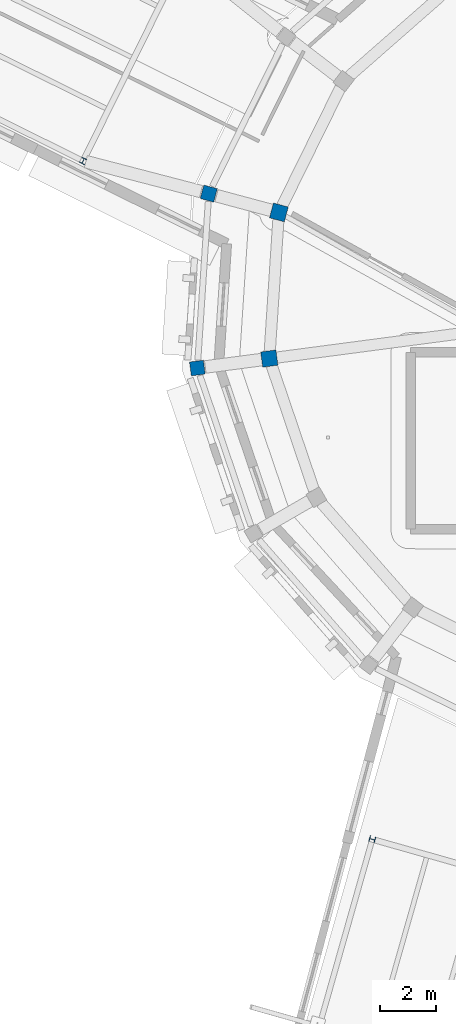
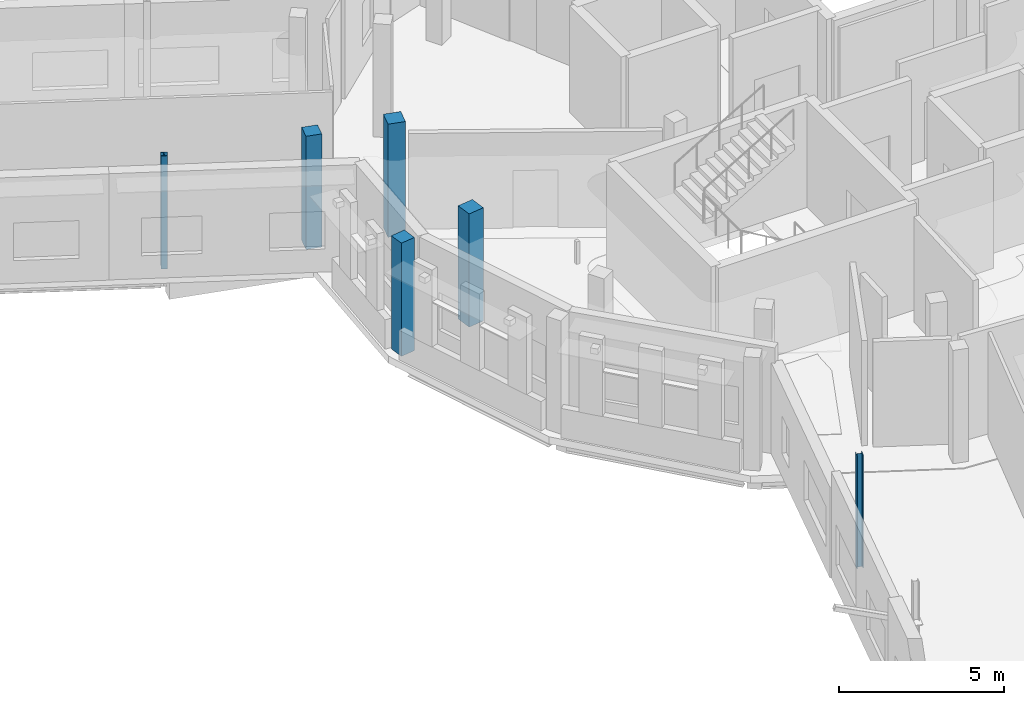
# One storey, part 17 of 90: 6 columns.
"""IFC4 building model written with IfcOpenShell, lengths in metres."""

from ifc_helpers import new_model, si_unit, direction, frame, origin, origin_2d, place, context, subcontext, project, spatial, rectangle, i_section, extrude, material, material_profile, profile_set, type_object, element, save


model = new_model("IFC4")

# Units and contexts
model_context = context("Model", 3, precision=1e-05, world=origin(), true_north=direction((0.0, 1.0)))
body_context = subcontext(model_context, "Body", "Model", "MODEL_VIEW")
ifc_project = project(units=[si_unit("LENGTHUNIT", "METRE"), si_unit("AREAUNIT", "SQUARE_METRE"), si_unit("VOLUMEUNIT", "CUBIC_METRE"), si_unit("PLANEANGLEUNIT", "RADIAN"), si_unit("MASSUNIT", "GRAM", prefix="KILO")], contexts=[model_context])

# Site, building, storey
site_placement = place(None, origin())
site = spatial("IfcSite", under=ifc_project, at=site_placement, CompositionType="ELEMENT")
building_placement = place(site_placement, origin())
building = spatial("IfcBuilding", under=site, at=building_placement, Name="Wrenclough Park School", CompositionType="ELEMENT")
storey_placement = place(building_placement, frame((0.0, 0.0, 8.39990234375)))
storey = spatial("IfcBuildingStorey", under=building, at=storey_placement, Name="L02", CompositionType="ELEMENT", Elevation=8.39990234375)

# Columns
ifc_material_1 = material(Name="Concrete C40/50", Category="concrete")
ifc_material_profile_1 = material_profile(ifc_material_1, rectangle(XDim=0.5, YDim=0.5, at=origin_2d()), Name="RC COL 500x500")
ifc_profile_set_1 = profile_set([ifc_material_profile_1], Name="Concrete C40/50")
column_type_1 = type_object("IfcColumnType", Name="STR-COL-RC500", PredefinedType="COLUMN", material=ifc_profile_set_1)
for number, where, z_axis, x_axis, name in (
    (1, (158.996826171875, 97.654052734375, 0.0), (0.0, 0.0, 1.0), (-0.258819045103, -0.965925826289, 0.0), "D5 L02 column D5-OUT-08"),
    (2, (158.58740234375, 91.405029296875, 0.0), (0.0, 0.0, 1.0), (0.13052619222, -0.991444861374, 0.0), "D5 L02 column D5-OUT-09"),
):
    element("IfcColumn", number, at=place(storey_placement, frame(where, z_axis=z_axis, x_axis=x_axis)), inside=storey, type_object=column_type_1, Name=name, PredefinedType="COLUMN", context=body_context, shape_type="SweptSolid", body=[
        extrude(rectangle(XDim=0.5, YDim=0.5, at=origin_2d()), origin(), (0.0, 0.0, 1.0), 4.2001953125),
    ])
ifc_material_profile_2 = material_profile(ifc_material_1, rectangle(XDim=0.550048828125, YDim=0.550048828125, at=origin_2d()), Name="RC COL 550x550")
ifc_profile_set_2 = profile_set([ifc_material_profile_2], Name="Concrete C40/50")
column_type_2 = type_object("IfcColumnType", Name="STR-COL-RC550", PredefinedType="COLUMN", material=ifc_profile_set_2)
for number, where, z_axis, x_axis, name in (
    (3, (161.50830078125, 96.981201171875, 0.0), (0.0, 0.0, 1.0), (-0.258819045103, -0.965925826289, 0.0), "D5 L02 column D5-MID-08"),
    (4, (161.1650390625, 91.744384765625, 0.0), (0.0, 0.0, 1.0), (0.13052619222, -0.991444861374, 0.0), "D5 L02 column D5-MID-09"),
):
    element("IfcColumn", number, at=place(storey_placement, frame(where, z_axis=z_axis, x_axis=x_axis)), inside=storey, type_object=column_type_2, Name=name, PredefinedType="COLUMN", context=body_context, shape_type="SweptSolid", body=[
        extrude(rectangle(XDim=0.550048828125, YDim=0.550048828125, at=origin_2d()), origin(), (0.0, 0.0, 1.0), 4.2001953125),
    ])
ifc_material_2 = material(Name="Structural steel S355", Category="steel")
ifc_material_profile_3 = material_profile(ifc_material_2, i_section(OverallWidth=0.20361328125, OverallDepth=0.203125, WebThickness=0.007080078125, FlangeThickness=0.010986328125, FilletRadius=0.01025390625, at=origin_2d()), Name="UKC 203x203x46")
ifc_profile_set_3 = profile_set([ifc_material_profile_3], Name="Structural steel S355")
column_type_3 = type_object("IfcColumnType", Name="STR-COL-UKC203A", PredefinedType="COLUMN", material=ifc_profile_set_3)
for number, where, z_axis, x_axis, name in (
    (5, (164.85546875, 74.5185546875, 0.0), (0.0, 0.0, 1.0), (0.272784025857, 0.962075296033, 0.0), "W14 L02 column W14-C1-L07"),
    (6, (154.494140625, 98.8251953125, 0.0), (0.0, 0.0, 1.0), (0.896254315973, -0.443540529265, 0.0), "W45 L02 column W45-C2-R05"),
):
    element("IfcColumn", number, at=place(storey_placement, frame(where, z_axis=z_axis, x_axis=x_axis)), inside=storey, type_object=column_type_3, Name=name, PredefinedType="COLUMN", context=body_context, shape_type="SweptSolid", body=[
        extrude(i_section(OverallWidth=0.20361328125, OverallDepth=0.203125, WebThickness=0.007080078125, FlangeThickness=0.010986328125, FilletRadius=0.01025390625, at=origin_2d()), origin(), (0.0, 0.0, 1.0), 4.2001953125),
    ])

save(model, "model.ifc")
